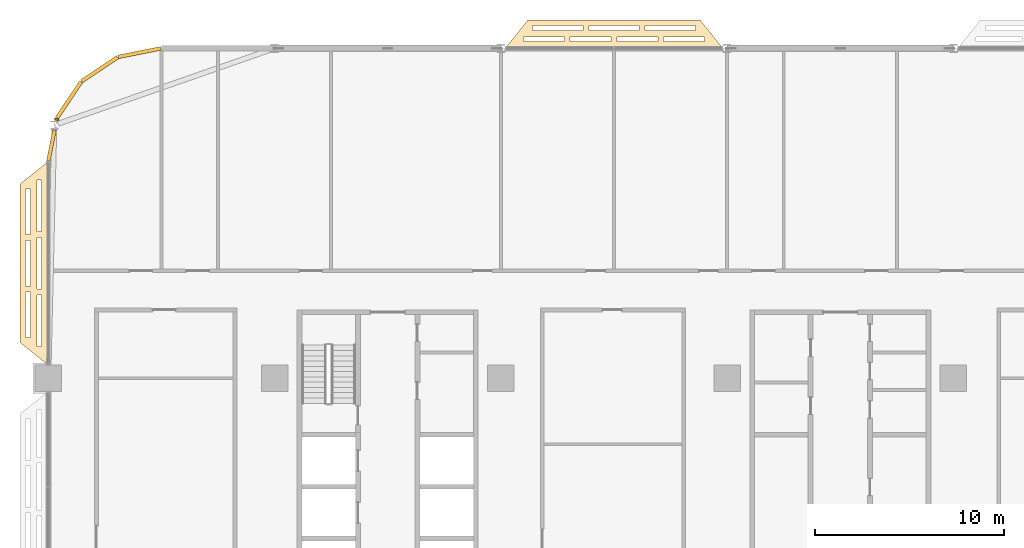
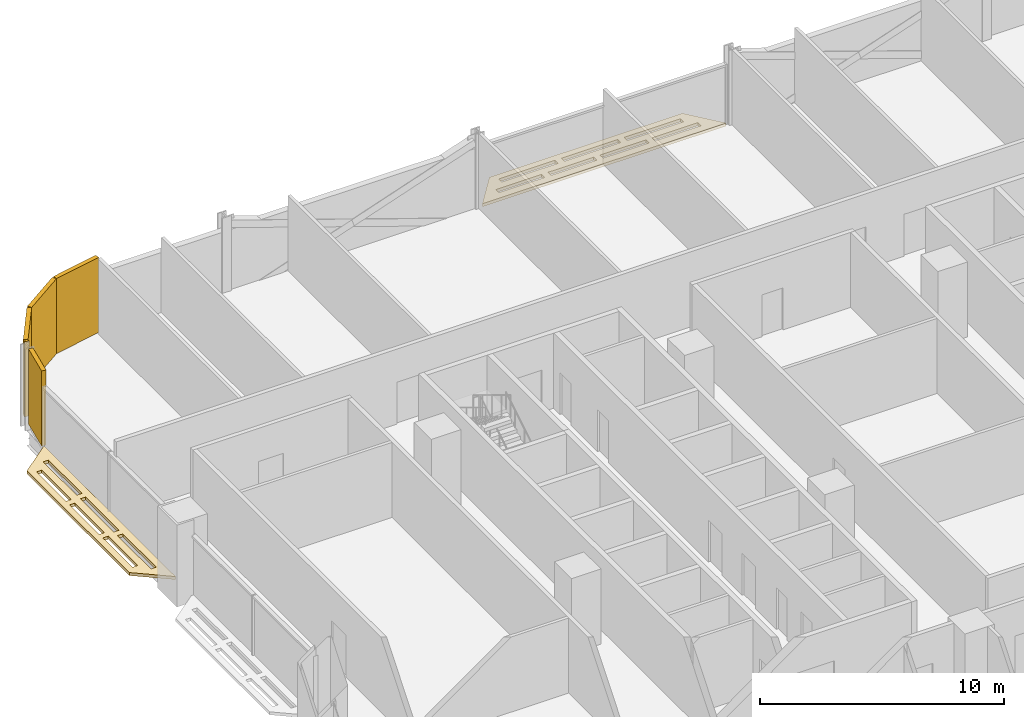
# One storey, part 27 of 29: 7 coverings.
"""IFC4 building model written with IfcOpenShell, lengths in metres."""

from ifc_helpers import new_model, si_unit, direction, frame, origin, origin_2d, place, context, subcontext, project, spatial, polyline, rectangle, outline, extrude, material, layer, layer_set, type_object, element, save


model = new_model("IFC4")

# Units and contexts
model_context = context("Model", 3, precision=1e-05, world=origin(), true_north=direction((0.0, 1.0)))
body_context = subcontext(model_context, "Body", "Model", "MODEL_VIEW")
ifc_project = project(units=[si_unit("LENGTHUNIT", "METRE"), si_unit("AREAUNIT", "SQUARE_METRE"), si_unit("VOLUMEUNIT", "CUBIC_METRE"), si_unit("PLANEANGLEUNIT", "RADIAN"), si_unit("MASSUNIT", "GRAM", prefix="KILO")], contexts=[model_context])

# Site, building, storey
site_placement = place(None, origin())
site = spatial("IfcSite", under=ifc_project, at=site_placement, CompositionType="ELEMENT")
building_placement = place(site_placement, origin())
building = spatial("IfcBuilding", under=site, at=building_placement, Name="Mahtab Terrace Research Tower", CompositionType="ELEMENT")
storey_placement = place(building_placement, frame((0.0, 0.0, 105.300048828125)))
storey = spatial("IfcBuildingStorey", under=building, at=storey_placement, Name="L24", CompositionType="ELEMENT", Elevation=105.300048828125)

# Coverings
ifc_material_1 = material(Name="Black aluminium cladding panel", Category="aluminium")
ifc_layer_1 = layer(ifc_material_1, 0.199951171875)
ifc_layer_set_1 = layer_set([ifc_layer_1], Name="Black metal corner cladding 200")
covering_type_1 = type_object("IfcCoveringType", Name="Black metal corner cladding 200", PredefinedType="CLADDING", material=ifc_layer_set_1)
for number, where, z_axis, x_axis, name in (
    (1, (-37.14794921875, 28.771484375, 0.0), (0.0, 0.0, 1.0), (-0.980760981187, -0.195212442692, 0.0), "Corner cladding L24 11"),
    (2, (-39.26953125, 27.89306640625, 0.0), (0.0, 0.0, 1.0), (-0.831655794326, -0.555291490808, 0.0), "Corner cladding L24 12"),
    (3, (-40.89306640625, 26.26953125, 0.0), (0.0, 0.0, 1.0), (-0.555291490808, -0.831655794326, 0.0), "Corner cladding L24 13"),
):
    element("IfcCovering", number, at=place(storey_placement, frame(where, z_axis=z_axis, x_axis=x_axis)), inside=storey, type_object=covering_type_1, Name=name, PredefinedType="CLADDING", context=body_context, shape_type="SweptSolid", body=[
        extrude(rectangle(XDim=2.30126953125, YDim=0.199951171875, at=origin_2d()), origin(), (0.0, 0.0, 1.0), 3.760009765625),
    ])
covering_1_placement = place(storey_placement, frame((-41.5556640625, 25.231689453125, 0.0), z_axis=(0.0, 0.0, 1.0), x_axis=(-0.195212442692, -0.980760981187, 0.0)))
element("IfcCovering", 4, at=covering_1_placement, inside=storey, type_object=covering_type_1, Name="Corner cladding L24 14", PredefinedType="CLADDING", context=body_context, shape_type="SweptSolid", body=[
    extrude(rectangle(XDim=0.11083984375, YDim=0.199951171875, at=origin_2d()), origin(), (0.0, 0.0, 1.0), 3.760009765625),
])
covering_2_placement = place(storey_placement, frame((-41.833740234375, 23.83544921875, 0.0), z_axis=(0.0, 0.0, 1.0), x_axis=(-0.195212442692, -0.980760981187, 0.0)))
element("IfcCovering", 5, at=covering_2_placement, inside=storey, type_object=covering_type_1, Name="Corner cladding L24 15", PredefinedType="CLADDING", context=body_context, shape_type="SweptSolid", body=[
    extrude(rectangle(XDim=1.6640625, YDim=0.199951171875, at=origin_2d()), origin(), (0.0, 0.0, 1.0), 3.760009765625),
])
ifc_material_2 = material(Name="Black anodised aluminium", Category="aluminium")
ifc_layer_2 = layer(ifc_material_2, 0.14990234375)
ifc_layer_set_2 = layer_set([ifc_layer_2], Name="Horizontal sunshade band")
covering_type_2 = type_object("IfcCoveringType", Name="Horizontal sunshade band", PredefinedType="CLADDING", material=ifc_layer_set_2)
covering_3_placement = place(storey_placement, frame((0.0, 0.0, -0.150146484375)))
element("IfcCovering", 6, at=covering_3_placement, inside=storey, type_object=covering_type_2, Name="Sunshade band L24 8", PredefinedType="CLADDING", context=body_context, shape_type="SweptSolid", body=[
    extrude(outline(polyline([(-6.22802734375, 29.0), (-17.77197265625, 29.0), (-16.572021484375, 30.5), (-7.427978515625, 30.5), (-6.22802734375, 29.0)]), holes=[polyline([(-7.2080078125, 29.35009765625), (-9.37890625, 29.35009765625), (-9.37890625, 29.60009765625), (-7.2080078125, 29.60009765625), (-7.2080078125, 29.35009765625)]), polyline([(-9.678955078125, 29.35009765625), (-11.85009765625, 29.35009765625), (-11.85009765625, 29.60009765625), (-9.678955078125, 29.60009765625), (-9.678955078125, 29.35009765625)]), polyline([(-12.14990234375, 29.35009765625), (-14.321044921875, 29.35009765625), (-14.321044921875, 29.60009765625), (-12.14990234375, 29.60009765625), (-12.14990234375, 29.35009765625)]), polyline([(-14.62109375, 29.35009765625), (-16.7919921875, 29.35009765625), (-16.7919921875, 29.60009765625), (-14.62109375, 29.60009765625), (-14.62109375, 29.35009765625)]), polyline([(-7.68798828125, 29.949951171875), (-10.363037109375, 29.949951171875), (-10.363037109375, 30.199951171875), (-7.68798828125, 30.199951171875), (-7.68798828125, 29.949951171875)]), polyline([(-10.6630859375, 29.949951171875), (-13.3369140625, 29.949951171875), (-13.3369140625, 30.199951171875), (-10.6630859375, 30.199951171875), (-10.6630859375, 29.949951171875)]), polyline([(-13.636962890625, 29.949951171875), (-16.31201171875, 29.949951171875), (-16.31201171875, 30.199951171875), (-13.636962890625, 30.199951171875), (-13.636962890625, 29.949951171875)])]), origin(), (0.0, 0.0, 1.0), 0.150146484375),
])
covering_4_placement = place(storey_placement, frame((0.0, 0.0, -0.150146484375)))
element("IfcCovering", 7, at=covering_4_placement, inside=storey, type_object=covering_type_2, Name="Sunshade band L24 16", PredefinedType="CLADDING", context=body_context, shape_type="SweptSolid", body=[
    extrude(outline(polyline([(-42.0, 23.0), (-42.0, 12.199951171875), (-43.5, 13.39990234375), (-43.5, 21.800048828125), (-42.0, 23.0)]), holes=[polyline([(-42.35009765625, 22.02001953125), (-42.35009765625, 19.27294921875), (-42.60009765625, 19.27294921875), (-42.60009765625, 22.02001953125), (-42.35009765625, 22.02001953125)]), polyline([(-42.35009765625, 18.972900390625), (-42.35009765625, 16.22705078125), (-42.60009765625, 16.22705078125), (-42.60009765625, 18.972900390625), (-42.35009765625, 18.972900390625)]), polyline([(-42.35009765625, 15.927001953125), (-42.35009765625, 13.179931640625), (-42.60009765625, 13.179931640625), (-42.60009765625, 15.927001953125), (-42.35009765625, 15.927001953125)]), polyline([(-42.949951171875, 21.5400390625), (-42.949951171875, 19.113037109375), (-43.199951171875, 19.113037109375), (-43.199951171875, 21.5400390625), (-42.949951171875, 21.5400390625)]), polyline([(-42.949951171875, 18.81298828125), (-42.949951171875, 16.386962890625), (-43.199951171875, 16.386962890625), (-43.199951171875, 18.81298828125), (-42.949951171875, 18.81298828125)]), polyline([(-42.949951171875, 16.0869140625), (-42.949951171875, 13.659912109375), (-43.199951171875, 13.659912109375), (-43.199951171875, 16.0869140625), (-42.949951171875, 16.0869140625)])]), origin(), (0.0, 0.0, 1.0), 0.150146484375),
])

save(model, "model.ifc")
